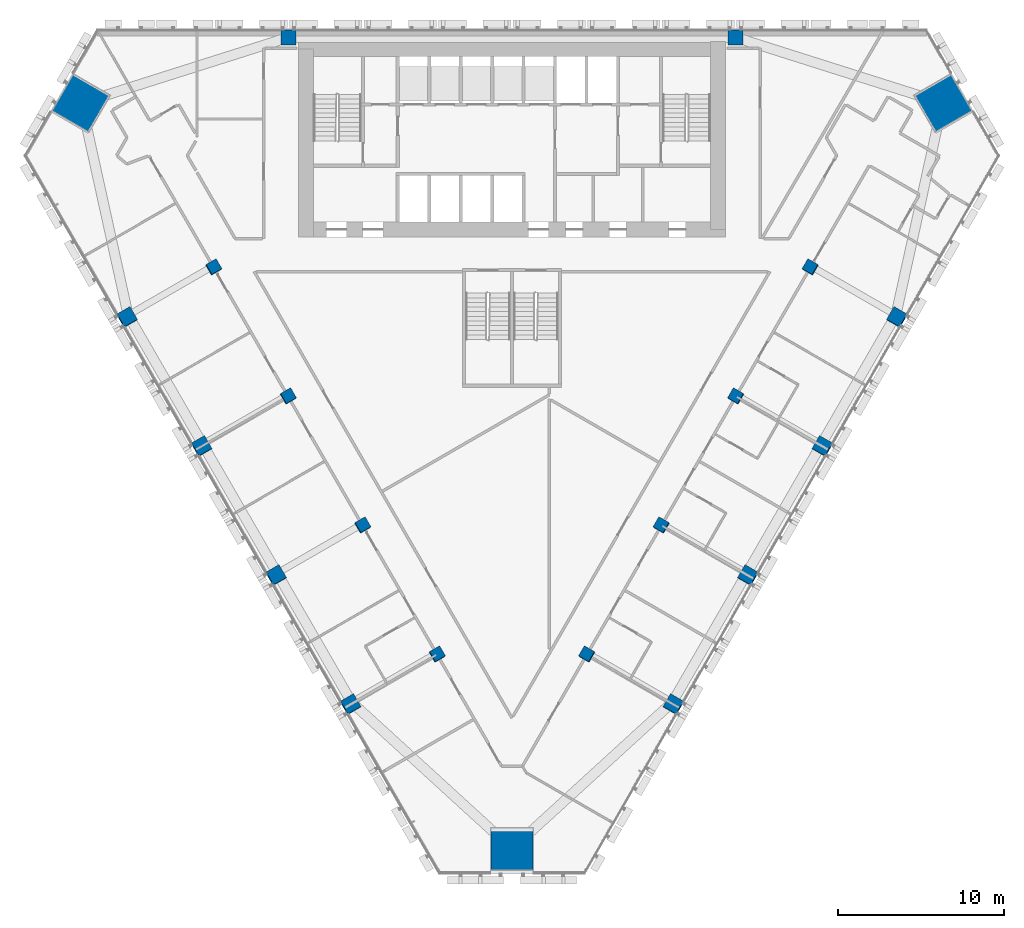
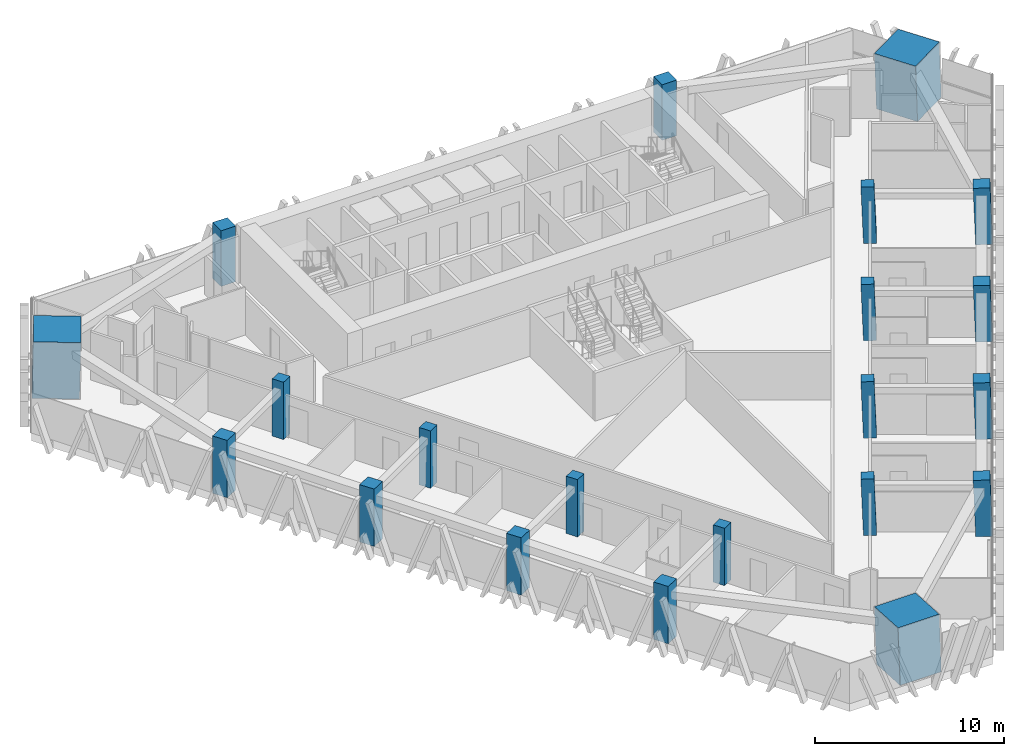
# One storey, part 1 of 16: 21 columns.
"""IFC4 building model written with IfcOpenShell, lengths in metres."""

from ifc_helpers import new_model, si_unit, direction, frame, origin, origin_2d, place, context, subcontext, project, spatial, rectangle, extrude, material, material_profile, profile_set, type_object, element, save


model = new_model("IFC4")

# Units and contexts
model_context = context("Model", 3, precision=1e-05, world=origin(), true_north=direction((0.0, 1.0)))
body_context = subcontext(model_context, "Body", "Model", "MODEL_VIEW")
ifc_project = project(units=[si_unit("LENGTHUNIT", "METRE"), si_unit("AREAUNIT", "SQUARE_METRE"), si_unit("VOLUMEUNIT", "CUBIC_METRE"), si_unit("PLANEANGLEUNIT", "RADIAN"), si_unit("MASSUNIT", "GRAM", prefix="KILO")], contexts=[model_context])

# Site, building, storey
site_placement = place(None, origin())
site = spatial("IfcSite", under=ifc_project, at=site_placement, CompositionType="ELEMENT")
building_placement = place(site_placement, origin())
building = spatial("IfcBuilding", under=site, at=building_placement, Name="Altiplano Prism Tower", CompositionType="ELEMENT")
storey_placement = place(building_placement, frame((0.0, 0.0, 84.60009765625)))
storey = spatial("IfcBuildingStorey", under=building, at=storey_placement, Name="L21", CompositionType="ELEMENT", Elevation=84.60009765625)

# Columns
ifc_material_1 = material(Name="Concrete C60/75", Category="concrete")
ifc_material_profile_1 = material_profile(ifc_material_1, rectangle(XDim=0.699951171875, YDim=0.699951171875, at=origin_2d()), Name="Inner column 700")
ifc_profile_set_1 = profile_set([ifc_material_profile_1], Name="Concrete C60/75")
column_type_1 = type_object("IfcColumnType", Name="Inner column 700", PredefinedType="COLUMN", material=ifc_profile_set_1)
for number, where, z_axis, x_axis, name in (
    (1, (66.971923828125, 90.6572265625, -0.021240234375), (0.022222852987, 0.038483477124, 0.999012095419), (-0.865642023381, -0.499182098683, 0.038485318123), "Inner column I11 L21"),
    (2, (71.471923828125, 82.863037109375, -0.021240234375), (0.022222910879, 0.038415824599, 0.999014697916), (-0.866023990094, -0.498523047361, 0.038434617606), "Inner column I12 L21"),
    (3, (75.971923828125, 75.06884765625, -0.021240234375), (0.022222910879, 0.038415824599, 0.999014697916), (-0.866021322354, -0.498527672539, 0.038434736118), "Inner column I13 L21"),
    (4, (80.471923828125, 67.274658203125, -0.021240234375), (0.022222910879, 0.038415824599, 0.999014697916), (-0.866021322354, -0.498527672539, 0.038434736118), "Inner column I14 L21"),
    (5, (89.528076171875, 67.274658203125, -0.021240234375), (-0.022222910879, 0.038415824599, 0.999014697916), (-0.499512974266, -0.866022161456, 0.022190187181), "Inner column I21 L21"),
    (6, (94.028076171875, 75.06884765625, -0.021240234375), (-0.022222910879, 0.038415824599, 0.999014697916), (-0.499512974266, -0.866022161456, 0.022190187181), "Inner column I22 L21"),
    (7, (98.528076171875, 82.863037109375, -0.021240234375), (-0.022222910879, 0.038415824599, 0.999014697916), (-0.499508349092, -0.866024823934, 0.02219039245), "Inner column I23 L21"),
    (8, (103.028076171875, 90.6572265625, -0.021240234375), (-0.022222852987, 0.038483477124, 0.999012095419), (-0.500170003261, -0.865642105227, 0.022219664612), "Inner column I24 L21"),
):
    element("IfcColumn", number, at=place(storey_placement, frame(where, z_axis=z_axis, x_axis=x_axis)), inside=storey, type_object=column_type_1, Name=name, PredefinedType="COLUMN", context=body_context, shape_type="SweptSolid", body=[
        extrude(rectangle(XDim=0.699951171875, YDim=0.699951171875, at=origin_2d()), origin(), (0.0, 0.0, 1.0), 3.603515625),
    ])
ifc_material_2 = material(Name="Concrete C70/85", Category="concrete")
ifc_material_profile_2 = material_profile(ifc_material_2, rectangle(XDim=2.52001953125, YDim=2.52001953125, at=origin_2d()), Name="Mega column infill 2600")
ifc_profile_set_2 = profile_set([ifc_material_profile_2], Name="Concrete C70/85")
column_type_2 = type_object("IfcColumnType", Name="Mega column infill 2600", PredefinedType="COLUMN", material=ifc_profile_set_2)
column_1_placement = place(storey_placement, frame((58.888671875, 100.55322265625, 0.0), z_axis=(0.028403739082, 0.009219352065, 0.999554016126), x_axis=(-0.865122995266, 0.501162400879, 0.019961237606)))
element("IfcColumn", 9, at=column_1_placement, inside=storey, type_object=column_type_2, Name="Mega column M0 L21", PredefinedType="COLUMN", context=body_context, shape_type="SweptSolid", body=[
    extrude(rectangle(XDim=2.52001953125, YDim=2.52001953125, at=origin_2d()), origin(), (0.0, 0.0, 1.0), 3.6015625),
])
column_2_placement = place(storey_placement, frame((85.0, 55.3271484375, 0.0), z_axis=(0.0, 0.058360852261, 0.998295552892), x_axis=(-1.0, 0.0, 0.0)))
element("IfcColumn", 10, at=column_2_placement, inside=storey, type_object=column_type_2, Name="Mega column M1 L21", PredefinedType="COLUMN", context=body_context, shape_type="SweptSolid", body=[
    extrude(rectangle(XDim=2.52001953125, YDim=2.52001953125, at=origin_2d()), origin(), (0.0, 0.0, 1.0), 3.60595703125),
])
column_3_placement = place(storey_placement, frame((111.111328125, 100.55322265625, 0.0), z_axis=(-0.028403739082, 0.009219352065, 0.999554016126), x_axis=(0.500754860852, -0.865304138146, 0.022210759545)))
element("IfcColumn", 11, at=column_3_placement, inside=storey, type_object=column_type_2, Name="Mega column M2 L21", PredefinedType="COLUMN", context=body_context, shape_type="SweptSolid", body=[
    extrude(rectangle(XDim=2.52001953125, YDim=2.52001953125, at=origin_2d()), origin(), (0.0, 0.0, 1.0), 3.6015625),
])
ifc_material_profile_3 = material_profile(ifc_material_1, rectangle(XDim=0.89990234375, YDim=0.89990234375, at=origin_2d()), Name="Perimeter column 900")
ifc_profile_set_3 = profile_set([ifc_material_profile_3], Name="Concrete C60/75")
column_type_3 = type_object("IfcColumnType", Name="Perimeter column 900", PredefinedType="COLUMN", material=ifc_profile_set_3)
for number, where, z_axis, x_axis, name in (
    (12, (98.5, 104.550048828125, 0.0), (0.0, 0.0, 1.0), (1.0, 0.0, 0.0), "Perimeter column P01 L21"),
    (13, (71.5, 104.550048828125, 0.0), (0.0, 0.0, 1.0), (1.0, 0.0, 0.0), "Perimeter column P04 L21"),
):
    element("IfcColumn", number, at=place(storey_placement, frame(where, z_axis=z_axis, x_axis=x_axis)), inside=storey, type_object=column_type_3, Name=name, PredefinedType="COLUMN", context=body_context, shape_type="SweptSolid", body=[
        extrude(rectangle(XDim=0.89990234375, YDim=0.89990234375, at=origin_2d()), origin(), (0.0, 0.0, 1.0), 3.599853515625),
    ])
for number, where, z_axis, x_axis, name in (
    (14, (61.732421875, 87.632080078125, -0.02734375), (0.022222910879, 0.038415824599, 0.999014697916), (-0.866023990094, -0.498523047361, 0.038434617606), "Perimeter column P11 L21"),
    (15, (66.232421875, 79.837890625, -0.02734375), (0.022222910879, 0.038415824599, 0.999014697916), (-0.866023990094, -0.498523047361, 0.038434617606), "Perimeter column P12 L21"),
    (16, (70.732421875, 72.04345703125, -0.02734375), (0.022222852987, 0.038483477124, 0.999012095419), (-0.865639352107, -0.499186721818, 0.038485436791), "Perimeter column P13 L21"),
    (17, (75.232421875, 64.249267578125, -0.02734375), (0.022222852987, 0.038483477124, 0.999012095419), (-0.865639352107, -0.499186721818, 0.038485436791), "Perimeter column P14 L21"),
    (18, (94.767578125, 64.249267578125, -0.02734375), (-0.022222852987, 0.038483477124, 0.999012095419), (-0.500174626395, -0.865639439229, 0.022219459073), "Perimeter column P21 L21"),
    (19, (99.267578125, 72.04345703125, -0.02734375), (-0.022222852987, 0.038483477124, 0.999012095419), (-0.500174626395, -0.865639439229, 0.022219459073), "Perimeter column P22 L21"),
    (20, (103.767578125, 79.837890625, -0.02734375), (-0.022222910879, 0.038415824599, 0.999014697916), (-0.499508349092, -0.866024823934, 0.02219039245), "Perimeter column P23 L21"),
    (21, (108.267578125, 87.632080078125, -0.02734375), (-0.022222910879, 0.038415824599, 0.999014697916), (-0.499508349092, -0.866024823934, 0.02219039245), "Perimeter column P24 L21"),
):
    element("IfcColumn", number, at=place(storey_placement, frame(where, z_axis=z_axis, x_axis=x_axis)), inside=storey, type_object=column_type_3, Name=name, PredefinedType="COLUMN", context=body_context, shape_type="SweptSolid", body=[
        extrude(rectangle(XDim=0.89990234375, YDim=0.89990234375, at=origin_2d()), origin(), (0.0, 0.0, 1.0), 3.603515625),
    ])

save(model, "model.ifc")
